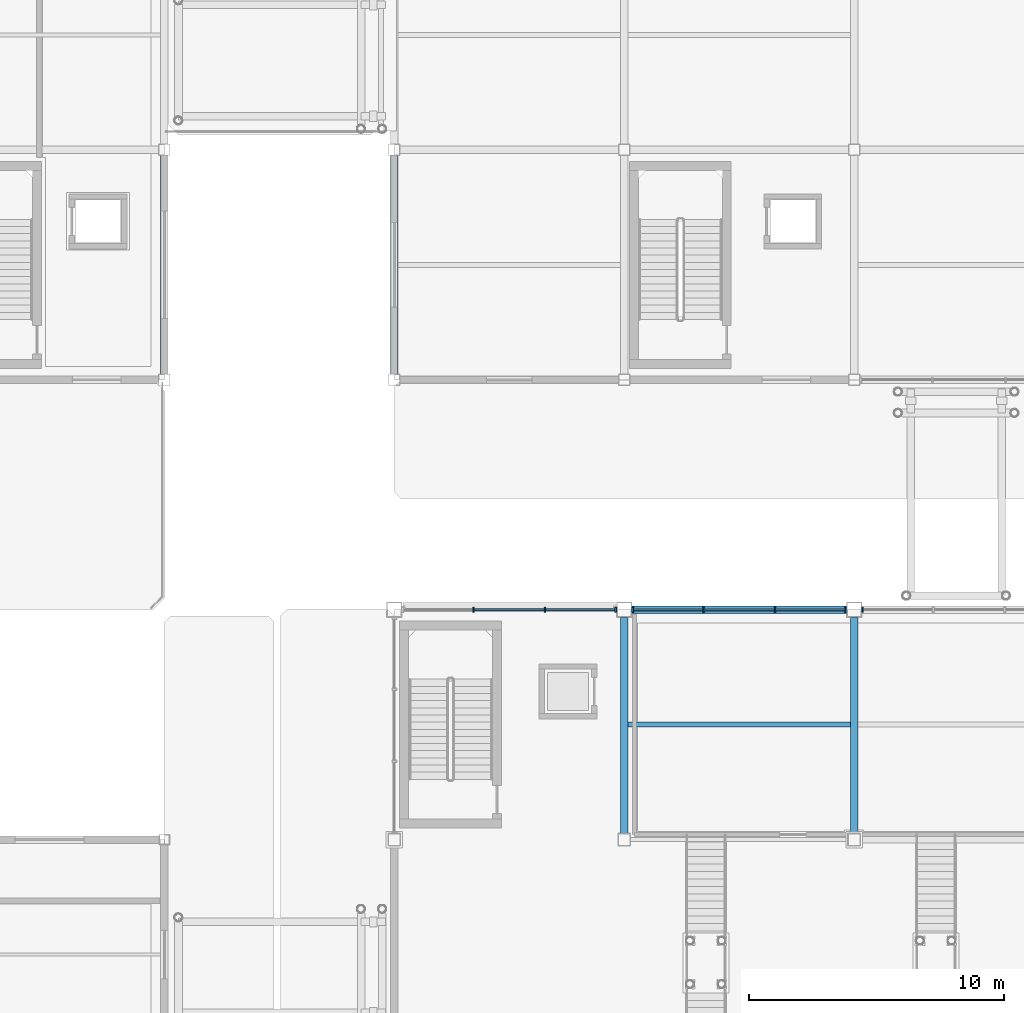
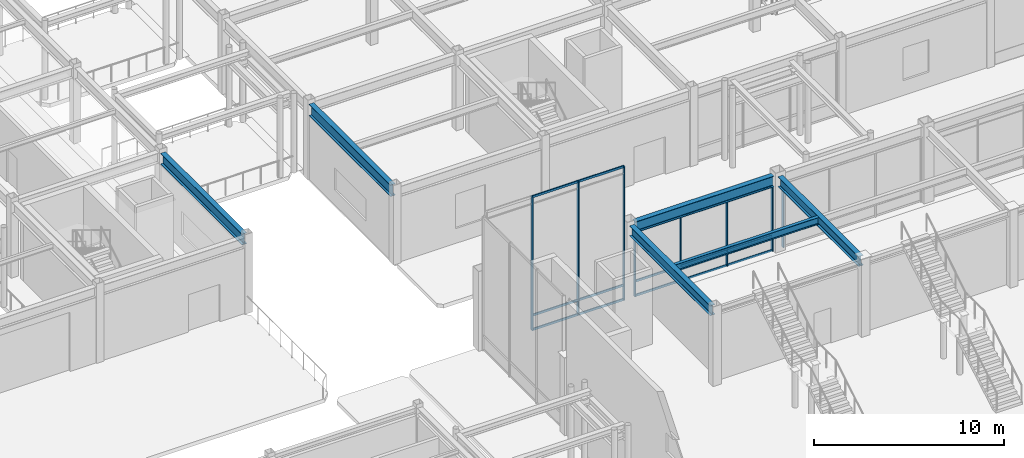
# One storey, part 40 of 123: 23 members, 6 beams, 3 elements without a shape of their own.
"""IFC4 building model written with IfcOpenShell, lengths in metres."""

from ifc_helpers import new_model, si_unit, direction, frame, origin, origin_2d, place, context, subcontext, project, spatial, rectangle, i_section, extrude, material, material_profile, profile_set, type_object, element, aggregate, save


model = new_model("IFC4")

# Units and contexts
model_context = context("Model", 3, precision=1e-05, world=origin(), true_north=direction((0.0, 1.0)))
body_context = subcontext(model_context, "Body", "Model", "MODEL_VIEW")
ifc_project = project(units=[si_unit("LENGTHUNIT", "METRE"), si_unit("AREAUNIT", "SQUARE_METRE"), si_unit("VOLUMEUNIT", "CUBIC_METRE"), si_unit("PLANEANGLEUNIT", "RADIAN"), si_unit("MASSUNIT", "GRAM", prefix="KILO")], contexts=[model_context])

# Site, building, storey
site_placement = place(None, origin())
site = spatial("IfcSite", under=ifc_project, at=site_placement, CompositionType="ELEMENT")
building_placement = place(site_placement, origin())
building = spatial("IfcBuilding", under=site, at=building_placement, Name="Suzunagisa Mobility Hub", CompositionType="ELEMENT")
storey_placement = place(building_placement, origin())
storey = spatial("IfcBuildingStorey", under=building, at=storey_placement, Name="L00", CompositionType="ELEMENT", Elevation=0.0)

# Curtain wall, members
ifc_material_1 = material(Name="Thermally Broken Anodized Aluminum and Low-E Glazing", Category="aluminium")
curtain_wall_type_1 = type_object("IfcCurtainWallType", Name="Unitised Curtain Wall CW-32 8500x4200", PredefinedType="USERDEFINED", material=ifc_material_1)
curtain_wall_1_placement = place(storey_placement, origin())
curtain_wall_1 = element("IfcCurtainWall", 1, at=curtain_wall_1_placement, inside=storey, type_object=curtain_wall_type_1, Name="L00 Unitised Curtain Wall CW-41", ObjectType="UNITISED CURTAIN WALL", PredefinedType="USERDEFINED")
ifc_material_2 = material(Name="Anodized Aluminum 6063-T6", Category="aluminium")
ifc_material_profile_1 = material_profile(ifc_material_2, rectangle(XDim=0.06494140625, YDim=0.139892578125, at=origin_2d()), Name="TRAN-65x140")
ifc_profile_set_1 = profile_set([ifc_material_profile_1], Name="Anodized Aluminum 6063-T6")
member_type_1 = type_object("IfcMemberType", Name="Curtain Wall Framing CM-01 TRAN-65x140", PredefinedType="USERDEFINED", material=ifc_profile_set_1)
member_1_placement = place(storey_placement, frame((62.636962890625, 71.0, 0.032470703125), z_axis=(-1.0, 0.0, 0.0), x_axis=(0.0, -1.0, 0.0)))
member_1 = element("IfcMember", 2, at=member_1_placement, type_object=member_type_1, Name="Curtain Wall Transom 41-T1.1", ObjectType="TRANSOM", PredefinedType="USERDEFINED", context=body_context, shape_type="SweptSolid", body=[
    extrude(rectangle(XDim=0.06494140625, YDim=0.139892578125, at=origin_2d()), origin(), (0.0, 0.0, 1.0), 2.70654296875),
])
member_2_placement = place(storey_placement, frame((62.636962890625, 71.0, 0.949951171875), z_axis=(-1.0, 0.0, 0.0), x_axis=(0.0, -1.0, 0.0)))
member_2 = element("IfcMember", 3, at=member_2_placement, type_object=member_type_1, Name="Curtain Wall Transom 41-T1.2", ObjectType="TRANSOM", PredefinedType="USERDEFINED", context=body_context, shape_type="SweptSolid", body=[
    extrude(rectangle(XDim=0.06494140625, YDim=0.139892578125, at=origin_2d()), origin(), (0.0, 0.0, 1.0), 2.70654296875),
])
member_3_placement = place(storey_placement, frame((62.636962890625, 71.0, 4.117431640625), z_axis=(-1.0, 0.0, 0.0), x_axis=(0.0, -1.0, 0.0)))
member_3 = element("IfcMember", 4, at=member_3_placement, type_object=member_type_1, Name="Curtain Wall Transom 41-T1.3", ObjectType="TRANSOM", PredefinedType="USERDEFINED", context=body_context, shape_type="SweptSolid", body=[
    extrude(rectangle(XDim=0.06494140625, YDim=0.139892578125, at=origin_2d()), origin(), (0.0, 0.0, 1.0), 2.70654296875),
])
member_4_placement = place(storey_placement, frame((59.869384765625, 71.0, 0.032470703125), z_axis=(-1.0, 0.0, 0.0), x_axis=(0.0, -1.0, 0.0)))
member_4 = element("IfcMember", 5, at=member_4_placement, type_object=member_type_1, Name="Curtain Wall Transom 41-T2.1", ObjectType="TRANSOM", PredefinedType="USERDEFINED", context=body_context, shape_type="SweptSolid", body=[
    extrude(rectangle(XDim=0.06494140625, YDim=0.139892578125, at=origin_2d()), origin(), (0.0, 0.0, 1.0), 2.73876953125),
])
member_5_placement = place(storey_placement, frame((59.869384765625, 71.0, 0.949951171875), z_axis=(-1.0, 0.0, 0.0), x_axis=(0.0, -1.0, 0.0)))
member_5 = element("IfcMember", 6, at=member_5_placement, type_object=member_type_1, Name="Curtain Wall Transom 41-T2.2", ObjectType="TRANSOM", PredefinedType="USERDEFINED", context=body_context, shape_type="SweptSolid", body=[
    extrude(rectangle(XDim=0.06494140625, YDim=0.139892578125, at=origin_2d()), origin(), (0.0, 0.0, 1.0), 2.73876953125),
])
member_6_placement = place(storey_placement, frame((59.869384765625, 71.0, 4.117431640625), z_axis=(-1.0, 0.0, 0.0), x_axis=(0.0, -1.0, 0.0)))
member_6 = element("IfcMember", 7, at=member_6_placement, type_object=member_type_1, Name="Curtain Wall Transom 41-T2.3", ObjectType="TRANSOM", PredefinedType="USERDEFINED", context=body_context, shape_type="SweptSolid", body=[
    extrude(rectangle(XDim=0.06494140625, YDim=0.139892578125, at=origin_2d()), origin(), (0.0, 0.0, 1.0), 2.73876953125),
])
member_7_placement = place(storey_placement, frame((57.069580078125, 71.0, 0.032470703125), z_axis=(-1.0, 0.0, 0.0), x_axis=(0.0, -1.0, 0.0)))
member_7 = element("IfcMember", 8, at=member_7_placement, type_object=member_type_1, Name="Curtain Wall Transom 41-T3.1", ObjectType="TRANSOM", PredefinedType="USERDEFINED", context=body_context, shape_type="SweptSolid", body=[
    extrude(rectangle(XDim=0.06494140625, YDim=0.139892578125, at=origin_2d()), origin(), (0.0, 0.0, 1.0), 2.70654296875),
])
member_8_placement = place(storey_placement, frame((57.069580078125, 71.0, 0.949951171875), z_axis=(-1.0, 0.0, 0.0), x_axis=(0.0, -1.0, 0.0)))
member_8 = element("IfcMember", 9, at=member_8_placement, type_object=member_type_1, Name="Curtain Wall Transom 41-T3.2", ObjectType="TRANSOM", PredefinedType="USERDEFINED", context=body_context, shape_type="SweptSolid", body=[
    extrude(rectangle(XDim=0.06494140625, YDim=0.139892578125, at=origin_2d()), origin(), (0.0, 0.0, 1.0), 2.70654296875),
])
member_9_placement = place(storey_placement, frame((57.069580078125, 71.0, 4.117431640625), z_axis=(-1.0, 0.0, 0.0), x_axis=(0.0, -1.0, 0.0)))
member_9 = element("IfcMember", 10, at=member_9_placement, type_object=member_type_1, Name="Curtain Wall Transom 41-T3.3", ObjectType="TRANSOM", PredefinedType="USERDEFINED", context=body_context, shape_type="SweptSolid", body=[
    extrude(rectangle(XDim=0.06494140625, YDim=0.139892578125, at=origin_2d()), origin(), (0.0, 0.0, 1.0), 2.70654296875),
])

curtain_wall_type_2 = type_object("IfcCurtainWallType", Name="Unitised Curtain Wall CW-34 8500x8600", PredefinedType="USERDEFINED", material=ifc_material_1)
curtain_wall_2_placement = place(storey_placement, origin())
curtain_wall_2 = element("IfcCurtainWall", 11, at=curtain_wall_2_placement, inside=storey, type_object=curtain_wall_type_2, Name="L00 Unitised Curtain Wall CW-42", ObjectType="UNITISED CURTAIN WALL", PredefinedType="USERDEFINED")
member_10_placement = place(storey_placement, frame((53.636962890625, 71.0, 0.032470703125), z_axis=(-1.0, 0.0, 0.0), x_axis=(0.0, -1.0, 0.0)))
member_10 = element("IfcMember", 12, at=member_10_placement, type_object=member_type_1, Name="Curtain Wall Transom 42-T1.1", ObjectType="TRANSOM", PredefinedType="USERDEFINED", context=body_context, shape_type="SweptSolid", body=[
    extrude(rectangle(XDim=0.06494140625, YDim=0.139892578125, at=origin_2d()), origin(), (0.0, 0.0, 1.0), 2.70654296875),
])
member_11_placement = place(storey_placement, frame((53.636962890625, 71.0, 0.949951171875), z_axis=(-1.0, 0.0, 0.0), x_axis=(0.0, -1.0, 0.0)))
member_11 = element("IfcMember", 13, at=member_11_placement, type_object=member_type_1, Name="Curtain Wall Transom 42-T1.2", ObjectType="TRANSOM", PredefinedType="USERDEFINED", context=body_context, shape_type="SweptSolid", body=[
    extrude(rectangle(XDim=0.06494140625, YDim=0.139892578125, at=origin_2d()), origin(), (0.0, 0.0, 1.0), 2.70654296875),
])
member_12_placement = place(storey_placement, frame((53.636962890625, 71.0, 8.547607421875), z_axis=(-1.0, 0.0, 0.0), x_axis=(0.0, -1.0, 0.0)))
member_12 = element("IfcMember", 14, at=member_12_placement, type_object=member_type_1, Name="Curtain Wall Transom 42-T1.3", ObjectType="TRANSOM", PredefinedType="USERDEFINED", context=body_context, shape_type="SweptSolid", body=[
    extrude(rectangle(XDim=0.06494140625, YDim=0.139892578125, at=origin_2d()), origin(), (0.0, 0.0, 1.0), 2.70654296875),
])
member_13_placement = place(storey_placement, frame((50.869384765625, 71.0, 0.032470703125), z_axis=(-1.0, 0.0, 0.0), x_axis=(0.0, -1.0, 0.0)))
member_13 = element("IfcMember", 15, at=member_13_placement, type_object=member_type_1, Name="Curtain Wall Transom 42-T2.1", ObjectType="TRANSOM", PredefinedType="USERDEFINED", context=body_context, shape_type="SweptSolid", body=[
    extrude(rectangle(XDim=0.06494140625, YDim=0.139892578125, at=origin_2d()), origin(), (0.0, 0.0, 1.0), 2.73876953125),
])
member_14_placement = place(storey_placement, frame((50.869384765625, 71.0, 0.949951171875), z_axis=(-1.0, 0.0, 0.0), x_axis=(0.0, -1.0, 0.0)))
member_14 = element("IfcMember", 16, at=member_14_placement, type_object=member_type_1, Name="Curtain Wall Transom 42-T2.2", ObjectType="TRANSOM", PredefinedType="USERDEFINED", context=body_context, shape_type="SweptSolid", body=[
    extrude(rectangle(XDim=0.06494140625, YDim=0.139892578125, at=origin_2d()), origin(), (0.0, 0.0, 1.0), 2.73876953125),
])
member_15_placement = place(storey_placement, frame((50.869384765625, 71.0, 8.547607421875), z_axis=(-1.0, 0.0, 0.0), x_axis=(0.0, -1.0, 0.0)))
member_15 = element("IfcMember", 17, at=member_15_placement, type_object=member_type_1, Name="Curtain Wall Transom 42-T2.3", ObjectType="TRANSOM", PredefinedType="USERDEFINED", context=body_context, shape_type="SweptSolid", body=[
    extrude(rectangle(XDim=0.06494140625, YDim=0.139892578125, at=origin_2d()), origin(), (0.0, 0.0, 1.0), 2.73876953125),
])

# Curtain wall, member
curtain_wall_3_placement = place(storey_placement, origin())
curtain_wall_3 = element("IfcCurtainWall", 18, at=curtain_wall_3_placement, inside=storey, type_object=curtain_wall_type_1, Name="L00 Unitised Curtain Wall CW-40", ObjectType="UNITISED CURTAIN WALL", PredefinedType="USERDEFINED")
ifc_material_profile_2 = material_profile(ifc_material_2, rectangle(XDim=0.06494140625, YDim=0.179931640625, at=origin_2d()), Name="MULL-65x180")
ifc_profile_set_2 = profile_set([ifc_material_profile_2], Name="Anodized Aluminum 6063-T6")
member_type_2 = type_object("IfcMemberType", Name="Curtain Wall Framing CM-04 MULL-65x180", PredefinedType="MULLION", material=ifc_profile_set_2)
member_16_placement = place(storey_placement, frame((63.33251953125, 71.0, 0.0), z_axis=(0.0, 0.0, 1.0), x_axis=(-1.0, 0.0, 0.0)))
member_16 = element("IfcMember", 19, at=member_16_placement, type_object=member_type_2, Name="Curtain Wall Mullion 40-M4", PredefinedType="MULLION", context=body_context, shape_type="SweptSolid", body=[
    extrude(rectangle(XDim=0.06494140625, YDim=0.179931640625, at=origin_2d()), origin(), (0.0, 0.0, 1.0), 4.14990234375),
])
aggregate(curtain_wall_3, [member_16])

# Member
member_17_placement = place(storey_placement, frame((62.66748046875, 71.0, 0.0), z_axis=(0.0, 0.0, 1.0), x_axis=(-1.0, 0.0, 0.0)))
member_17 = element("IfcMember", 20, at=member_17_placement, type_object=member_type_2, Name="Curtain Wall Mullion 41-M1", PredefinedType="MULLION", context=body_context, shape_type="SweptSolid", body=[
    extrude(rectangle(XDim=0.06494140625, YDim=0.179931640625, at=origin_2d()), origin(), (0.0, 0.0, 1.0), 4.14990234375),
])

member_18_placement = place(storey_placement, frame((59.89990234375, 71.0, 0.0), z_axis=(0.0, 0.0, 1.0), x_axis=(-1.0, 0.0, 0.0)))
member_18 = element("IfcMember", 21, at=member_18_placement, type_object=member_type_2, Name="Curtain Wall Mullion 41-M2", PredefinedType="MULLION", context=body_context, shape_type="SweptSolid", body=[
    extrude(rectangle(XDim=0.06494140625, YDim=0.179931640625, at=origin_2d()), origin(), (0.0, 0.0, 1.0), 4.14990234375),
])

member_19_placement = place(storey_placement, frame((57.10009765625, 71.0, 0.0), z_axis=(0.0, 0.0, 1.0), x_axis=(-1.0, 0.0, 0.0)))
member_19 = element("IfcMember", 22, at=member_19_placement, type_object=member_type_2, Name="Curtain Wall Mullion 41-M3", PredefinedType="MULLION", context=body_context, shape_type="SweptSolid", body=[
    extrude(rectangle(XDim=0.06494140625, YDim=0.179931640625, at=origin_2d()), origin(), (0.0, 0.0, 1.0), 4.14990234375),
])

member_20_placement = place(storey_placement, frame((54.33251953125, 71.0, 0.0), z_axis=(0.0, 0.0, 1.0), x_axis=(-1.0, 0.0, 0.0)))
member_20 = element("IfcMember", 23, at=member_20_placement, type_object=member_type_2, Name="Curtain Wall Mullion 41-M4", PredefinedType="MULLION", context=body_context, shape_type="SweptSolid", body=[
    extrude(rectangle(XDim=0.06494140625, YDim=0.179931640625, at=origin_2d()), origin(), (0.0, 0.0, 1.0), 4.14990234375),
])

aggregate(curtain_wall_1, [member_17, member_18, member_19, member_20, member_1, member_2, member_3, member_4, member_5, member_6, member_7, member_8, member_9])

member_21_placement = place(storey_placement, frame((53.66748046875, 71.0, 0.0), z_axis=(0.0, 0.0, 1.0), x_axis=(-1.0, 0.0, 0.0)))
member_21 = element("IfcMember", 24, at=member_21_placement, type_object=member_type_2, Name="Curtain Wall Mullion 42-M1", PredefinedType="MULLION", context=body_context, shape_type="SweptSolid", body=[
    extrude(rectangle(XDim=0.06494140625, YDim=0.179931640625, at=origin_2d()), origin(), (0.0, 0.0, 1.0), 8.580078125),
])

member_22_placement = place(storey_placement, frame((50.89990234375, 71.0, 0.0), z_axis=(0.0, 0.0, 1.0), x_axis=(-1.0, 0.0, 0.0)))
member_22 = element("IfcMember", 25, at=member_22_placement, type_object=member_type_2, Name="Curtain Wall Mullion 42-M2", PredefinedType="MULLION", context=body_context, shape_type="SweptSolid", body=[
    extrude(rectangle(XDim=0.06494140625, YDim=0.179931640625, at=origin_2d()), origin(), (0.0, 0.0, 1.0), 8.580078125),
])

member_23_placement = place(storey_placement, frame((48.10009765625, 71.0, 0.0), z_axis=(0.0, 0.0, 1.0), x_axis=(-1.0, 0.0, 0.0)))
member_23 = element("IfcMember", 26, at=member_23_placement, type_object=member_type_2, Name="Curtain Wall Mullion 42-M3", PredefinedType="MULLION", context=body_context, shape_type="SweptSolid", body=[
    extrude(rectangle(XDim=0.06494140625, YDim=0.179931640625, at=origin_2d()), origin(), (0.0, 0.0, 1.0), 8.580078125),
])

aggregate(curtain_wall_2, [member_21, member_22, member_23, member_10, member_11, member_12, member_13, member_14, member_15])

# Beams
ifc_material_3 = material(Name="Steel SN400B", Category="steel")
ifc_material_profile_3 = material_profile(ifc_material_3, i_section(OverallWidth=0.199951171875, OverallDepth=0.449951171875, WebThickness=0.009033203125, FlangeThickness=0.013916015625, FilletRadius=0.012939453125, at=origin_2d()), Name="H-450x200x9x14")
ifc_profile_set_3 = profile_set([ifc_material_profile_3], Name="Steel SN400B")
beam_type_1 = type_object("IfcBeamType", Name="Steel Beam BM-05 H-450x200x9x14", PredefinedType="JOIST", material=ifc_profile_set_3)
beam_1_placement = place(storey_placement, frame((54.14990234375, 66.5, 4.625), z_axis=(1.0, 0.0, 0.0), x_axis=(0.0, 1.0, 0.0)))
element("IfcBeam", 27, at=beam_1_placement, inside=storey, type_object=beam_type_1, Name="L00 Composite Floor Joist J-407", PredefinedType="JOIST", context=body_context, shape_type="SweptSolid", body=[
    extrude(i_section(OverallWidth=0.199951171875, OverallDepth=0.449951171875, WebThickness=0.009033203125, FlangeThickness=0.013916015625, FilletRadius=0.012939453125, at=origin_2d()), origin(), (0.0, 0.0, 1.0), 8.7001953125),
])
ifc_material_4 = material(Name="Steel SN490B", Category="steel")
ifc_material_profile_4 = material_profile(ifc_material_4, i_section(OverallWidth=0.300048828125, OverallDepth=0.64990234375, WebThickness=0.012939453125, FlangeThickness=0.02197265625, FilletRadius=0.01611328125, at=origin_2d()), Name="H-650x300x13x22")
ifc_profile_set_4 = profile_set([ifc_material_profile_4], Name="Steel SN490B")
beam_type_2 = type_object("IfcBeamType", Name="Steel Beam BM-10 H-650x300x13x22", PredefinedType="BEAM", material=ifc_profile_set_4)
for number, where, z_axis, x_axis, name in (
    (28, (54.0, 62.24609375, 4.52490234375), (0.0, 1.0, 0.0), (-1.0, 0.0, 0.0), "L00 Primary Girder GY-400"),
    (29, (63.0, 62.24609375, 4.52490234375), (0.0, 1.0, 0.0), (-1.0, 0.0, 0.0), "L00 Primary Girder GY-401"),
):
    element("IfcBeam", number, at=place(storey_placement, frame(where, z_axis=z_axis, x_axis=x_axis)), inside=storey, type_object=beam_type_2, Name=name, PredefinedType="BEAM", context=body_context, shape_type="SweptSolid", body=[
        extrude(i_section(OverallWidth=0.300048828125, OverallDepth=0.64990234375, WebThickness=0.012939453125, FlangeThickness=0.02197265625, FilletRadius=0.01611328125, at=origin_2d()), origin(), (0.0, 0.0, 1.0), 8.4580078125),
    ])
ifc_material_profile_5 = material_profile(ifc_material_4, i_section(OverallWidth=0.300048828125, OverallDepth=0.699951171875, WebThickness=0.012939453125, FlangeThickness=0.02392578125, FilletRadius=0.01806640625, at=origin_2d()), Name="H-700x300x13x24")
ifc_profile_set_5 = profile_set([ifc_material_profile_5], Name="Steel SN490B")
beam_type_3 = type_object("IfcBeamType", Name="Steel Beam BM-11 H-700x300x13x24", PredefinedType="BEAM", material=ifc_profile_set_5)
beam_2_placement = place(storey_placement, frame((54.2958984375, 71.0, 4.5), z_axis=(1.0, 0.0, 0.0), x_axis=(0.0, 1.0, 0.0)))
element("IfcBeam", 30, at=beam_2_placement, inside=storey, type_object=beam_type_3, Name="L00 Primary Girder GX-394", PredefinedType="BEAM", context=body_context, shape_type="SweptSolid", body=[
    extrude(i_section(OverallWidth=0.300048828125, OverallDepth=0.699951171875, WebThickness=0.012939453125, FlangeThickness=0.02392578125, FilletRadius=0.01806640625, at=origin_2d()), origin(), (0.0, 0.0, 1.0), 8.408203125),
])
beam_3_placement = place(storey_placement, frame((36.0, 80.220947265625, 4.489990234375), z_axis=(0.0, 1.0, 0.0), x_axis=(-1.0, 0.0, 0.0)))
element("IfcBeam", 31, at=beam_3_placement, inside=storey, type_object=beam_type_3, Name="L00 Primary Girder GY-475", PredefinedType="BEAM", context=body_context, shape_type="SweptSolid", body=[
    extrude(i_section(OverallWidth=0.300048828125, OverallDepth=0.699951171875, WebThickness=0.012939453125, FlangeThickness=0.02392578125, FilletRadius=0.01806640625, at=origin_2d()), origin(), (0.0, 0.0, 1.0), 8.55810546875),
])
ifc_material_profile_6 = material_profile(ifc_material_4, i_section(OverallWidth=0.300048828125, OverallDepth=0.75, WebThickness=0.013916015625, FlangeThickness=0.02587890625, FilletRadius=0.01806640625, at=origin_2d()), Name="H-750x300x14x26")
ifc_profile_set_6 = profile_set([ifc_material_profile_6], Name="Steel SN490B")
beam_type_4 = type_object("IfcBeamType", Name="Steel Beam BM-15 H-750x300x14x26", PredefinedType="BEAM", material=ifc_profile_set_6)
beam_4_placement = place(storey_placement, frame((45.0, 80.220947265625, 4.465087890625), z_axis=(0.0, 1.0, 0.0), x_axis=(-1.0, 0.0, 0.0)))
element("IfcBeam", 32, at=beam_4_placement, inside=storey, type_object=beam_type_4, Name="L00 Primary Girder GY-742", PredefinedType="BEAM", context=body_context, shape_type="SweptSolid", body=[
    extrude(i_section(OverallWidth=0.300048828125, OverallDepth=0.75, WebThickness=0.013916015625, FlangeThickness=0.02587890625, FilletRadius=0.01806640625, at=origin_2d()), origin(), (0.0, 0.0, 1.0), 8.55810546875),
])

save(model, "model.ifc")
